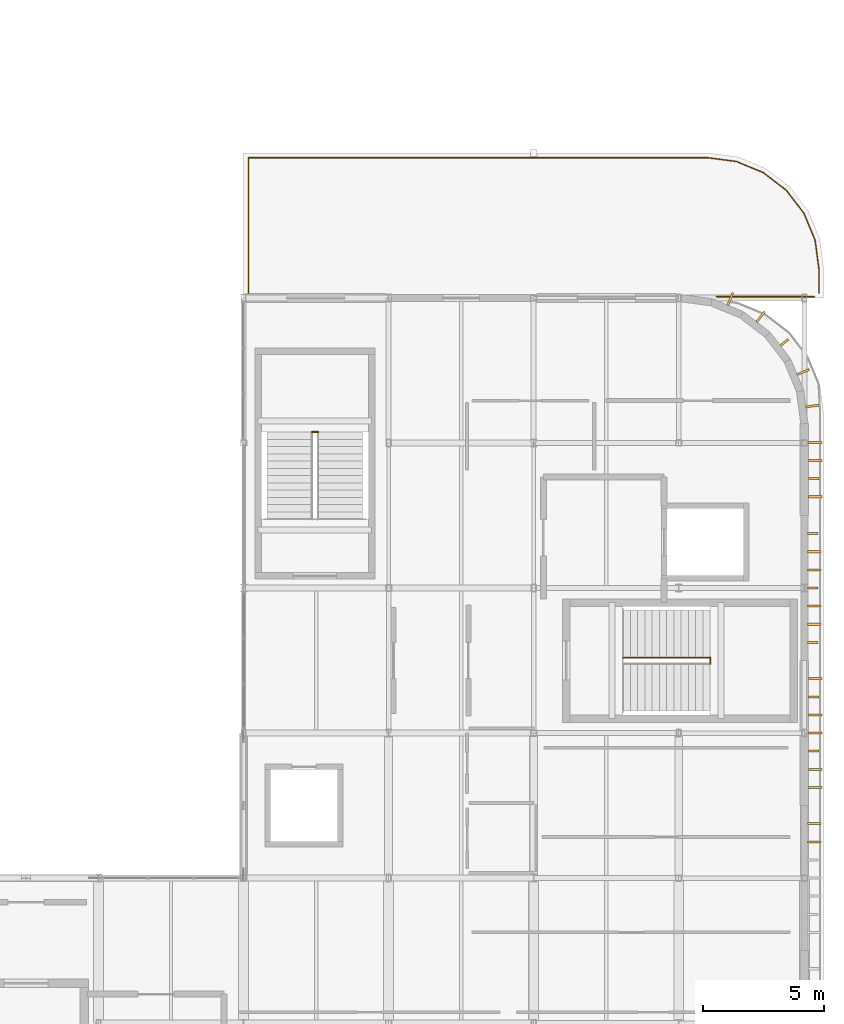
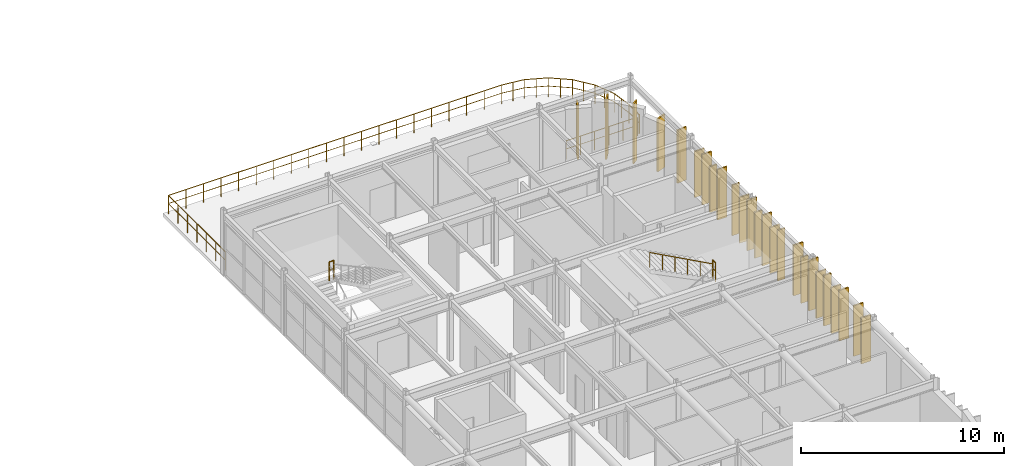
# One storey, part 27 of 27: 25 coverings, 13 railings.
"""IFC4 building model written with IfcOpenShell, lengths in metres."""

from ifc_helpers import new_model, si_unit, direction, frame, origin, origin_2d, place, context, subcontext, project, spatial, rectangle, circle, extrude, material, layer, layer_set, type_object, element, save


model = new_model("IFC4")

# Units and contexts
model_context = context("Model", 3, precision=1e-05, world=origin(), true_north=direction((0.0, 1.0)))
body_context = subcontext(model_context, "Body", "Model", "MODEL_VIEW")
ifc_project = project(units=[si_unit("LENGTHUNIT", "METRE"), si_unit("AREAUNIT", "SQUARE_METRE"), si_unit("VOLUMEUNIT", "CUBIC_METRE"), si_unit("PLANEANGLEUNIT", "RADIAN"), si_unit("MASSUNIT", "GRAM", prefix="KILO")], contexts=[model_context])

# Site, building, storey
site_placement = place(None, origin())
site = spatial("IfcSite", under=ifc_project, at=site_placement, CompositionType="ELEMENT")
building_placement = place(site_placement, origin())
building = spatial("IfcBuilding", under=site, at=building_placement, Name="Varnakota Square Police Headquarters", CompositionType="ELEMENT")
storey_placement = place(building_placement, frame((0.0, 0.0, 26.10009765625)))
storey = spatial("IfcBuildingStorey", under=building, at=storey_placement, Name="L06", CompositionType="ELEMENT", Elevation=26.10009765625)

# Coverings
ifc_material_1 = material(Name="White Anodised Aluminium Vertical Facade Blade 420", Category="aluminium")
ifc_layer_1 = layer(ifc_material_1, 0.0849609375, Name="White Anodised Aluminium Vertical Facade Blade 420")
ifc_layer_set_1 = layer_set([ifc_layer_1], Name="White Anodised Aluminium Vertical Facade Blade 420")
covering_type_1 = type_object("IfcCoveringType", Name="COV-FIN-420", PredefinedType="CLADDING", material=ifc_layer_set_1)
covering_1_placement = place(storey_placement, frame((161.5849609375, 20.25, 0.0400390625), z_axis=(0.0, 0.0, 1.0), x_axis=(0.0, 1.0, 0.0)))
element("IfcCovering", 1, at=covering_1_placement, inside=storey, type_object=covering_type_1, Name="Vertical aluminium facade fin FIN-0785", PredefinedType="CLADDING", context=body_context, shape_type="SweptSolid", body=[
    extrude(rectangle(XDim=0.0849609375, YDim=0.419921875, at=origin_2d()), origin(), (0.0, 0.0, 1.0), 3.050048828125),
])
covering_2_placement = place(storey_placement, frame((161.5849609375, 22.5, 0.039794921875), z_axis=(0.0, 0.0, 1.0), x_axis=(0.0, 1.0, 0.0)))
element("IfcCovering", 2, at=covering_2_placement, inside=storey, type_object=covering_type_1, Name="Vertical aluminium facade fin FIN-0788", PredefinedType="CLADDING", context=body_context, shape_type="SweptSolid", body=[
    extrude(rectangle(XDim=0.0849609375, YDim=0.419921875, at=origin_2d()), origin(), (0.0, 0.0, 1.0), 2.77001953125),
])
covering_3_placement = place(storey_placement, frame((161.544921875, 24.75, 0.0400390625), z_axis=(0.0, 0.0, 1.0), x_axis=(0.0, 1.0, 0.0)))
element("IfcCovering", 3, at=covering_3_placement, inside=storey, type_object=covering_type_1, Name="Vertical aluminium facade fin FIN-0790", PredefinedType="CLADDING", context=body_context, shape_type="SweptSolid", body=[
    extrude(rectangle(XDim=0.0849609375, YDim=0.419921875, at=origin_2d()), origin(), (0.0, 0.0, 1.0), 3.050048828125),
])
covering_4_placement = place(storey_placement, frame((161.544921875, 27.0, 0.039794921875), z_axis=(0.0, 0.0, 1.0), x_axis=(0.0, 1.0, 0.0)))
element("IfcCovering", 4, at=covering_4_placement, inside=storey, type_object=covering_type_1, Name="Vertical aluminium facade fin FIN-0793", PredefinedType="CLADDING", context=body_context, shape_type="SweptSolid", body=[
    extrude(rectangle(XDim=0.0849609375, YDim=0.419921875, at=origin_2d()), origin(), (0.0, 0.0, 1.0), 2.77001953125),
])
covering_5_placement = place(storey_placement, frame((161.544921875, 29.25, 0.0400390625), z_axis=(0.0, 0.0, 1.0), x_axis=(0.0, 1.0, 0.0)))
element("IfcCovering", 5, at=covering_5_placement, inside=storey, type_object=covering_type_1, Name="Vertical aluminium facade fin FIN-0796", PredefinedType="CLADDING", context=body_context, shape_type="SweptSolid", body=[
    extrude(rectangle(XDim=0.0849609375, YDim=0.419921875, at=origin_2d()), origin(), (0.0, 0.0, 1.0), 3.050048828125),
])
covering_6_placement = place(storey_placement, frame((161.5849609375, 31.52490234375, 0.039794921875), z_axis=(0.0, 0.0, 1.0), x_axis=(0.0, 1.0, 0.0)))
element("IfcCovering", 6, at=covering_6_placement, inside=storey, type_object=covering_type_1, Name="Vertical aluminium facade fin FIN-0798", PredefinedType="CLADDING", context=body_context, shape_type="SweptSolid", body=[
    extrude(rectangle(XDim=0.0849609375, YDim=0.419921875, at=origin_2d()), origin(), (0.0, 0.0, 1.0), 2.77001953125),
])
covering_7_placement = place(storey_placement, frame((160.371826171875, 37.154541015625, 0.039794921875), z_axis=(0.0, 0.0, 1.0), x_axis=(-0.608761429009, 0.793353340291, 0.0)))
element("IfcCovering", 7, at=covering_7_placement, inside=storey, type_object=covering_type_1, Name="Vertical aluminium facade fin FIN-0814", PredefinedType="CLADDING", context=body_context, shape_type="SweptSolid", body=[
    extrude(rectangle(XDim=0.0849609375, YDim=0.419921875, at=origin_2d()), origin(), (0.0, 0.0, 1.0), 3.60498046875),
])
ifc_material_2 = material(Name="White Anodised Aluminium Vertical Facade Blade 550", Category="aluminium")
ifc_layer_2 = layer(ifc_material_2, 0.0849609375, Name="White Anodised Aluminium Vertical Facade Blade 550")
ifc_layer_set_2 = layer_set([ifc_layer_2], Name="White Anodised Aluminium Vertical Facade Blade 550")
covering_type_2 = type_object("IfcCoveringType", Name="COV-FIN-550", PredefinedType="CLADDING", material=ifc_layer_set_2)
covering_8_placement = place(storey_placement, frame((161.610107421875, 16.5, 0.039794921875), z_axis=(0.0, 0.0, 1.0), x_axis=(0.0, 1.0, 0.0)))
element("IfcCovering", 8, at=covering_8_placement, inside=storey, type_object=covering_type_2, Name="Vertical aluminium facade fin FIN-0781", PredefinedType="CLADDING", context=body_context, shape_type="SweptSolid", body=[
    extrude(rectangle(XDim=0.0849609375, YDim=0.550048828125, at=origin_2d()), origin(), (0.0, 0.0, 1.0), 2.77001953125),
])
for number, where, z_axis, x_axis, name in (
    (9, (161.610107421875, 17.25, 0.0400390625), (0.0, 0.0, 1.0), (0.0, 1.0, 0.0), "Vertical aluminium facade fin FIN-0782"),
    (10, (161.64990234375, 18.75, 0.0400390625), (0.0, 0.0, 1.0), (0.0, 1.0, 0.0), "Vertical aluminium facade fin FIN-0783"),
):
    element("IfcCovering", number, at=place(storey_placement, frame(where, z_axis=z_axis, x_axis=x_axis)), inside=storey, type_object=covering_type_2, Name=name, PredefinedType="CLADDING", context=body_context, shape_type="SweptSolid", body=[
        extrude(rectangle(XDim=0.0849609375, YDim=0.550048828125, at=origin_2d()), origin(), (0.0, 0.0, 1.0), 3.050048828125),
    ])
for number, where, z_axis, x_axis, name in (
    (11, (161.64990234375, 19.5, 0.039794921875), (0.0, 0.0, 1.0), (0.0, 1.0, 0.0), "Vertical aluminium facade fin FIN-0784"),
    (12, (161.64990234375, 21.0, 0.039794921875), (0.0, 0.0, 1.0), (0.0, 1.0, 0.0), "Vertical aluminium facade fin FIN-0786"),
):
    element("IfcCovering", number, at=place(storey_placement, frame(where, z_axis=z_axis, x_axis=x_axis)), inside=storey, type_object=covering_type_2, Name=name, PredefinedType="CLADDING", context=body_context, shape_type="SweptSolid", body=[
        extrude(rectangle(XDim=0.0849609375, YDim=0.550048828125, at=origin_2d()), origin(), (0.0, 0.0, 1.0), 2.77001953125),
    ])
for number, where, z_axis, x_axis, name in (
    (13, (161.64990234375, 21.75, 0.0400390625), (0.0, 0.0, 1.0), (0.0, 1.0, 0.0), "Vertical aluminium facade fin FIN-0787"),
    (14, (161.64990234375, 23.25, 0.0400390625), (0.0, 0.0, 1.0), (0.0, 1.0, 0.0), "Vertical aluminium facade fin FIN-0789"),
):
    element("IfcCovering", number, at=place(storey_placement, frame(where, z_axis=z_axis, x_axis=x_axis)), inside=storey, type_object=covering_type_2, Name=name, PredefinedType="CLADDING", context=body_context, shape_type="SweptSolid", body=[
        extrude(rectangle(XDim=0.0849609375, YDim=0.550048828125, at=origin_2d()), origin(), (0.0, 0.0, 1.0), 3.050048828125),
    ])
covering_9_placement = place(storey_placement, frame((161.610107421875, 25.5, 0.039794921875), z_axis=(0.0, 0.0, 1.0), x_axis=(0.0, 1.0, 0.0)))
element("IfcCovering", 15, at=covering_9_placement, inside=storey, type_object=covering_type_2, Name="Vertical aluminium facade fin FIN-0791", PredefinedType="CLADDING", context=body_context, shape_type="SweptSolid", body=[
    extrude(rectangle(XDim=0.0849609375, YDim=0.550048828125, at=origin_2d()), origin(), (0.0, 0.0, 1.0), 2.77001953125),
])
for number, where, z_axis, x_axis, name in (
    (16, (161.610107421875, 26.25, 0.0400390625), (0.0, 0.0, 1.0), (0.0, 1.0, 0.0), "Vertical aluminium facade fin FIN-0792"),
    (17, (161.610107421875, 27.75, 0.0400390625), (0.0, 0.0, 1.0), (0.0, 1.0, 0.0), "Vertical aluminium facade fin FIN-0794"),
):
    element("IfcCovering", number, at=place(storey_placement, frame(where, z_axis=z_axis, x_axis=x_axis)), inside=storey, type_object=covering_type_2, Name=name, PredefinedType="CLADDING", context=body_context, shape_type="SweptSolid", body=[
        extrude(rectangle(XDim=0.0849609375, YDim=0.550048828125, at=origin_2d()), origin(), (0.0, 0.0, 1.0), 3.050048828125),
    ])
covering_10_placement = place(storey_placement, frame((161.610107421875, 28.5, 0.039794921875), z_axis=(0.0, 0.0, 1.0), x_axis=(0.0, 1.0, 0.0)))
element("IfcCovering", 18, at=covering_10_placement, inside=storey, type_object=covering_type_2, Name="Vertical aluminium facade fin FIN-0795", PredefinedType="CLADDING", context=body_context, shape_type="SweptSolid", body=[
    extrude(rectangle(XDim=0.0849609375, YDim=0.550048828125, at=origin_2d()), origin(), (0.0, 0.0, 1.0), 2.77001953125),
])
for number, where, z_axis, x_axis, name in (
    (19, (161.64990234375, 30.77490234375, 0.0400390625), (0.0, 0.0, 1.0), (0.0, 1.0, 0.0), "Vertical aluminium facade fin FIN-0797"),
    (20, (161.64990234375, 32.27490234375, 0.0400390625), (0.0, 0.0, 1.0), (0.0, 1.0, 0.0), "Vertical aluminium facade fin FIN-0799"),
):
    element("IfcCovering", number, at=place(storey_placement, frame(where, z_axis=z_axis, x_axis=x_axis)), inside=storey, type_object=covering_type_2, Name=name, PredefinedType="CLADDING", context=body_context, shape_type="SweptSolid", body=[
        extrude(rectangle(XDim=0.0849609375, YDim=0.550048828125, at=origin_2d()), origin(), (0.0, 0.0, 1.0), 3.050048828125),
    ])
covering_11_placement = place(storey_placement, frame((161.64990234375, 33.02490234375, 0.039794921875), z_axis=(0.0, 0.0, 1.0), x_axis=(0.0, 1.0, 0.0)))
element("IfcCovering", 21, at=covering_11_placement, inside=storey, type_object=covering_type_2, Name="Vertical aluminium facade fin FIN-0800", PredefinedType="CLADDING", context=body_context, shape_type="SweptSolid", body=[
    extrude(rectangle(XDim=0.0849609375, YDim=0.550048828125, at=origin_2d()), origin(), (0.0, 0.0, 1.0), 2.77001953125),
])
for number, where, z_axis, x_axis, name in (
    (22, (161.52783203125, 34.52783203125, 0.0400390625), (0.0, 0.0, 1.0), (-0.13052619222, 0.991444861374, 0.0), "Vertical aluminium facade fin FIN-0812"),
    (23, (161.151123046875, 35.93359375, 0.0400390625), (0.0, 0.0, 1.0), (-0.382683432365, 0.923879532511, 0.0), "Vertical aluminium facade fin FIN-0813"),
):
    element("IfcCovering", number, at=place(storey_placement, frame(where, z_axis=z_axis, x_axis=x_axis)), inside=storey, type_object=covering_type_2, Name=name, PredefinedType="CLADDING", context=body_context, shape_type="SweptSolid", body=[
        extrude(rectangle(XDim=0.0849609375, YDim=0.550048828125, at=origin_2d()), origin(), (0.0, 0.0, 1.0), 3.199951171875),
    ])
covering_12_placement = place(storey_placement, frame((159.394287109375, 38.223388671875, 0.039794921875), z_axis=(0.0, 0.0, 1.0), x_axis=(-0.793353340291, 0.608761429009, 0.0)))
element("IfcCovering", 24, at=covering_12_placement, inside=storey, type_object=covering_type_2, Name="Vertical aluminium facade fin FIN-0815", PredefinedType="CLADDING", context=body_context, shape_type="SweptSolid", body=[
    extrude(rectangle(XDim=0.0849609375, YDim=0.550048828125, at=origin_2d()), origin(), (0.0, 0.0, 1.0), 3.60498046875),
])
covering_13_placement = place(storey_placement, frame((158.1337890625, 38.951171875, 0.039794921875), z_axis=(0.0, 0.0, 1.0), x_axis=(-0.923879532511, 0.382683432365, 0.0)))
element("IfcCovering", 25, at=covering_13_placement, inside=storey, type_object=covering_type_2, Name="Vertical aluminium facade fin FIN-0816", PredefinedType="CLADDING", context=body_context, shape_type="SweptSolid", body=[
    extrude(rectangle(XDim=0.0849609375, YDim=0.550048828125, at=origin_2d()), origin(), (0.0, 0.0, 1.0), 3.25),
])

# Railings
ifc_material_3 = material(Name="Galvanised Powder-Coated Steel Guardrail", Category="steel")
railing_type_1 = type_object("IfcRailingType", Name="RL-BAL-1150", PredefinedType="BALUSTRADE", material=ifc_material_3)
railing_1_placement = place(storey_placement, frame((161.800048828125, 39.199951171875, 0.0)))
element("IfcRailing", 26, at=railing_1_placement, inside=storey, type_object=railing_type_1, Name="Refuge terrace balustrade GD-L06-005", PredefinedType="BALUSTRADE", context=body_context, shape_type="SweptSolid", body=[
    extrude(circle(Radius=0.02392578125, at=origin_2d()), frame((0.0, 0.0, 1.1259765625), z_axis=(0.0, 1.0, 0.0), x_axis=(-1.0, 0.0, 0.0)), (0.0, 0.0, 1.0), 1.0),
    extrude(circle(Radius=0.01806640625, at=origin_2d()), frame((0.0, 0.0, 0.63232421875), z_axis=(0.0, 1.0, 0.0), x_axis=(-1.0, 0.0, 0.0)), (0.0, 0.0, 1.0), 1.0),
    extrude(circle(Radius=0.02099609375, at=origin_2d()), origin(), (0.0, 0.0, 1.0), 1.101806640625),
    extrude(circle(Radius=0.02099609375, at=origin_2d()), frame((0.0, 1.0, 0.0)), (0.0, 0.0, 1.0), 1.101806640625),
])
railing_2_placement = place(storey_placement, frame((161.800048828125, 40.199951171875, 0.0)))
element("IfcRailing", 27, at=railing_2_placement, inside=storey, type_object=railing_type_1, Name="Refuge terrace balustrade GD-L06-006", PredefinedType="BALUSTRADE", context=body_context, shape_type="SweptSolid", body=[
    extrude(circle(Radius=0.02392578125, at=origin_2d()), frame((0.0, 0.0, 1.1259765625), z_axis=(-0.130512358051, 0.991446682579, 0.0), x_axis=(-0.991446682579, -0.130512358051, 0.0)), (0.0, 0.0, 1.0), 1.200927734375),
    extrude(circle(Radius=0.01806640625, at=origin_2d()), frame((0.0, 0.0, 0.63232421875), z_axis=(-0.130512358051, 0.991446682579, 0.0), x_axis=(-0.991446682579, -0.130512358051, 0.0)), (0.0, 0.0, 1.0), 1.200927734375),
    extrude(circle(Radius=0.02099609375, at=origin_2d()), origin(), (0.0, 0.0, 1.0), 1.101806640625),
    extrude(circle(Radius=0.02099609375, at=origin_2d()), frame((-0.078369140625, 0.59521484375, 0.0)), (0.0, 0.0, 1.0), 1.101806640625),
    extrude(circle(Radius=0.02099609375, at=origin_2d()), frame((-0.15673828125, 1.190673828125, 0.0)), (0.0, 0.0, 1.0), 1.101806640625),
])
railing_3_placement = place(storey_placement, frame((161.643310546875, 41.390625, 0.0)))
element("IfcRailing", 28, at=railing_3_placement, inside=storey, type_object=railing_type_1, Name="Refuge terrace balustrade GD-L06-007", PredefinedType="BALUSTRADE", context=body_context, shape_type="SweptSolid", body=[
    extrude(circle(Radius=0.02392578125, at=origin_2d()), frame((0.0, 0.0, 1.1259765625), z_axis=(-0.382824608984, 0.923821042603, 0.0), x_axis=(-0.923821042603, -0.382824608984, 0.0)), (0.0, 0.0, 1.0), 1.200927734375),
    extrude(circle(Radius=0.01806640625, at=origin_2d()), frame((0.0, 0.0, 0.63232421875), z_axis=(-0.382824608984, 0.923821042603, 0.0), x_axis=(-0.923821042603, -0.382824608984, 0.0)), (0.0, 0.0, 1.0), 1.200927734375),
    extrude(circle(Radius=0.02099609375, at=origin_2d()), origin(), (0.0, 0.0, 1.0), 1.101806640625),
    extrude(circle(Radius=0.02099609375, at=origin_2d()), frame((-0.22998046875, 0.5546875, 0.0)), (0.0, 0.0, 1.0), 1.101806640625),
    extrude(circle(Radius=0.02099609375, at=origin_2d()), frame((-0.459716796875, 1.109375, 0.0)), (0.0, 0.0, 1.0), 1.101806640625),
])
railing_4_placement = place(storey_placement, frame((161.18359375, 42.5, 0.0)))
element("IfcRailing", 29, at=railing_4_placement, inside=storey, type_object=railing_type_1, Name="Refuge terrace balustrade GD-L06-008", PredefinedType="BALUSTRADE", context=body_context, shape_type="SweptSolid", body=[
    extrude(circle(Radius=0.02392578125, at=origin_2d()), frame((0.0, 0.0, 1.1259765625), z_axis=(-0.608747363764, 0.793364132735, 0.0), x_axis=(-0.793364132735, -0.608747363764, 0.0)), (0.0, 0.0, 1.0), 1.20068359375),
    extrude(circle(Radius=0.01806640625, at=origin_2d()), frame((0.0, 0.0, 0.63232421875), z_axis=(-0.608747363764, 0.793364132735, 0.0), x_axis=(-0.793364132735, -0.608747363764, 0.0)), (0.0, 0.0, 1.0), 1.20068359375),
    extrude(circle(Radius=0.02099609375, at=origin_2d()), origin(), (0.0, 0.0, 1.0), 1.101806640625),
    extrude(circle(Radius=0.02099609375, at=origin_2d()), frame((-0.365478515625, 0.476318359375, 0.0)), (0.0, 0.0, 1.0), 1.101806640625),
    extrude(circle(Radius=0.02099609375, at=origin_2d()), frame((-0.73095703125, 0.95263671875, 0.0)), (0.0, 0.0, 1.0), 1.101806640625),
])
railing_5_placement = place(storey_placement, frame((160.45263671875, 43.45263671875, 0.0)))
element("IfcRailing", 30, at=railing_5_placement, inside=storey, type_object=railing_type_1, Name="Refuge terrace balustrade GD-L06-009", PredefinedType="BALUSTRADE", context=body_context, shape_type="SweptSolid", body=[
    extrude(circle(Radius=0.02392578125, at=origin_2d()), frame((0.0, 0.0, 1.1259765625), z_axis=(-0.793364132735, 0.608747363764, 0.0), x_axis=(-0.608747363764, -0.793364132735, 0.0)), (0.0, 0.0, 1.0), 1.20068359375),
    extrude(circle(Radius=0.01806640625, at=origin_2d()), frame((0.0, 0.0, 0.63232421875), z_axis=(-0.793364132735, 0.608747363764, 0.0), x_axis=(-0.608747363764, -0.793364132735, 0.0)), (0.0, 0.0, 1.0), 1.20068359375),
    extrude(circle(Radius=0.02099609375, at=origin_2d()), origin(), (0.0, 0.0, 1.0), 1.101806640625),
    extrude(circle(Radius=0.02099609375, at=origin_2d()), frame((-0.476318359375, 0.365478515625, 0.0)), (0.0, 0.0, 1.0), 1.101806640625),
    extrude(circle(Radius=0.02099609375, at=origin_2d()), frame((-0.95263671875, 0.73095703125, 0.0)), (0.0, 0.0, 1.0), 1.101806640625),
])
railing_6_placement = place(storey_placement, frame((159.5, 44.18359375, 0.0)))
element("IfcRailing", 31, at=railing_6_placement, inside=storey, type_object=railing_type_1, Name="Refuge terrace balustrade GD-L06-010", PredefinedType="BALUSTRADE", context=body_context, shape_type="SweptSolid", body=[
    extrude(circle(Radius=0.02392578125, at=origin_2d()), frame((0.0, 0.0, 1.1259765625), z_axis=(-0.923821042603, 0.382824608984, 0.0), x_axis=(-0.382824608984, -0.923821042603, 0.0)), (0.0, 0.0, 1.0), 1.200927734375),
    extrude(circle(Radius=0.01806640625, at=origin_2d()), frame((0.0, 0.0, 0.63232421875), z_axis=(-0.923821042603, 0.382824608984, 0.0), x_axis=(-0.382824608984, -0.923821042603, 0.0)), (0.0, 0.0, 1.0), 1.200927734375),
    extrude(circle(Radius=0.02099609375, at=origin_2d()), origin(), (0.0, 0.0, 1.0), 1.101806640625),
    extrude(circle(Radius=0.02099609375, at=origin_2d()), frame((-0.5546875, 0.22998046875, 0.0)), (0.0, 0.0, 1.0), 1.101806640625),
    extrude(circle(Radius=0.02099609375, at=origin_2d()), frame((-1.109375, 0.459716796875, 0.0)), (0.0, 0.0, 1.0), 1.101806640625),
])
railing_7_placement = place(storey_placement, frame((158.390625, 44.643310546875, 0.0)))
element("IfcRailing", 32, at=railing_7_placement, inside=storey, type_object=railing_type_1, Name="Refuge terrace balustrade GD-L06-011", PredefinedType="BALUSTRADE", context=body_context, shape_type="SweptSolid", body=[
    extrude(circle(Radius=0.02392578125, at=origin_2d()), frame((0.0, 0.0, 1.1259765625), z_axis=(-0.991446682579, 0.130512358051, 0.0), x_axis=(-0.130512358051, -0.991446682579, 0.0)), (0.0, 0.0, 1.0), 1.200927734375),
    extrude(circle(Radius=0.01806640625, at=origin_2d()), frame((0.0, 0.0, 0.63232421875), z_axis=(-0.991446682579, 0.130512358051, 0.0), x_axis=(-0.130512358051, -0.991446682579, 0.0)), (0.0, 0.0, 1.0), 1.200927734375),
    extrude(circle(Radius=0.02099609375, at=origin_2d()), origin(), (0.0, 0.0, 1.0), 1.101806640625),
    extrude(circle(Radius=0.02099609375, at=origin_2d()), frame((-0.59521484375, 0.078369140625, 0.0)), (0.0, 0.0, 1.0), 1.101806640625),
    extrude(circle(Radius=0.02099609375, at=origin_2d()), frame((-1.190673828125, 0.15673828125, 0.0)), (0.0, 0.0, 1.0), 1.101806640625),
])
railing_8_placement = place(storey_placement, frame((157.199951171875, 44.800048828125, 0.0)))
element("IfcRailing", 33, at=railing_8_placement, inside=storey, type_object=railing_type_1, Name="Refuge terrace balustrade GD-L06-012", PredefinedType="BALUSTRADE", context=body_context, shape_type="SweptSolid", body=[
    extrude(circle(Radius=0.02392578125, at=origin_2d()), frame((0.0, 0.0, 1.1259765625), z_axis=(-1.0, 0.0, 0.0), x_axis=(0.0, -1.0, 0.0)), (0.0, 0.0, 1.0), 19.0),
    extrude(circle(Radius=0.01806640625, at=origin_2d()), frame((0.0, 0.0, 0.63232421875), z_axis=(-1.0, 0.0, 0.0), x_axis=(0.0, -1.0, 0.0)), (0.0, 0.0, 1.0), 19.0),
    extrude(circle(Radius=0.02099609375, at=origin_2d()), origin(), (0.0, 0.0, 1.0), 1.101806640625),
    extrude(circle(Radius=0.02099609375, at=origin_2d()), frame((-1.0, 0.0, 0.0)), (0.0, 0.0, 1.0), 1.101806640625),
    extrude(circle(Radius=0.02099609375, at=origin_2d()), frame((-2.0, 0.0, 0.0)), (0.0, 0.0, 1.0), 1.101806640625),
    extrude(circle(Radius=0.02099609375, at=origin_2d()), frame((-3.0, 0.0, 0.0)), (0.0, 0.0, 1.0), 1.101806640625),
    extrude(circle(Radius=0.02099609375, at=origin_2d()), frame((-4.0, 0.0, 0.0)), (0.0, 0.0, 1.0), 1.101806640625),
    extrude(circle(Radius=0.02099609375, at=origin_2d()), frame((-5.0, 0.0, 0.0)), (0.0, 0.0, 1.0), 1.101806640625),
    extrude(circle(Radius=0.02099609375, at=origin_2d()), frame((-6.0, 0.0, 0.0)), (0.0, 0.0, 1.0), 1.101806640625),
    extrude(circle(Radius=0.02099609375, at=origin_2d()), frame((-7.0, 0.0, 0.0)), (0.0, 0.0, 1.0), 1.101806640625),
    extrude(circle(Radius=0.02099609375, at=origin_2d()), frame((-8.0, 0.0, 0.0)), (0.0, 0.0, 1.0), 1.101806640625),
    extrude(circle(Radius=0.02099609375, at=origin_2d()), frame((-9.0, 0.0, 0.0)), (0.0, 0.0, 1.0), 1.101806640625),
    extrude(circle(Radius=0.02099609375, at=origin_2d()), frame((-10.0, 0.0, 0.0)), (0.0, 0.0, 1.0), 1.101806640625),
    extrude(circle(Radius=0.02099609375, at=origin_2d()), frame((-11.0, 0.0, 0.0)), (0.0, 0.0, 1.0), 1.101806640625),
    extrude(circle(Radius=0.02099609375, at=origin_2d()), frame((-12.0, 0.0, 0.0)), (0.0, 0.0, 1.0), 1.101806640625),
    extrude(circle(Radius=0.02099609375, at=origin_2d()), frame((-13.0, 0.0, 0.0)), (0.0, 0.0, 1.0), 1.101806640625),
    extrude(circle(Radius=0.02099609375, at=origin_2d()), frame((-14.0, 0.0, 0.0)), (0.0, 0.0, 1.0), 1.101806640625),
    extrude(circle(Radius=0.02099609375, at=origin_2d()), frame((-15.0, 0.0, 0.0)), (0.0, 0.0, 1.0), 1.101806640625),
    extrude(circle(Radius=0.02099609375, at=origin_2d()), frame((-16.0, 0.0, 0.0)), (0.0, 0.0, 1.0), 1.101806640625),
    extrude(circle(Radius=0.02099609375, at=origin_2d()), frame((-17.0, 0.0, 0.0)), (0.0, 0.0, 1.0), 1.101806640625),
    extrude(circle(Radius=0.02099609375, at=origin_2d()), frame((-18.0, 0.0, 0.0)), (0.0, 0.0, 1.0), 1.101806640625),
    extrude(circle(Radius=0.02099609375, at=origin_2d()), frame((-19.0, 0.0, 0.0)), (0.0, 0.0, 1.0), 1.101806640625),
])
railing_9_placement = place(storey_placement, frame((138.199951171875, 44.800048828125, 0.0)))
element("IfcRailing", 34, at=railing_9_placement, inside=storey, type_object=railing_type_1, Name="Refuge terrace balustrade GD-L06-013", PredefinedType="BALUSTRADE", context=body_context, shape_type="SweptSolid", body=[
    extrude(circle(Radius=0.02392578125, at=origin_2d()), frame((0.0, 0.0, 1.1259765625), z_axis=(0.0, -1.0, 0.0), x_axis=(1.0, 0.0, 0.0)), (0.0, 0.0, 1.0), 5.60009765625),
    extrude(circle(Radius=0.01806640625, at=origin_2d()), frame((0.0, 0.0, 0.63232421875), z_axis=(0.0, -1.0, 0.0), x_axis=(1.0, 0.0, 0.0)), (0.0, 0.0, 1.0), 5.60009765625),
    extrude(circle(Radius=0.02099609375, at=origin_2d()), origin(), (0.0, 0.0, 1.0), 1.101806640625),
    extrude(circle(Radius=0.02099609375, at=origin_2d()), frame((0.0, -0.933349609375, 0.0)), (0.0, 0.0, 1.0), 1.101806640625),
    extrude(circle(Radius=0.02099609375, at=origin_2d()), frame((0.0, -1.86669921875, 0.0)), (0.0, 0.0, 1.0), 1.101806640625),
    extrude(circle(Radius=0.02099609375, at=origin_2d()), frame((0.0, -2.800048828125, 0.0)), (0.0, 0.0, 1.0), 1.101806640625),
    extrude(circle(Radius=0.02099609375, at=origin_2d()), frame((0.0, -3.7333984375, 0.0)), (0.0, 0.0, 1.0), 1.101806640625),
    extrude(circle(Radius=0.02099609375, at=origin_2d()), frame((0.0, -4.666748046875, 0.0)), (0.0, 0.0, 1.0), 1.101806640625),
    extrude(circle(Radius=0.02099609375, at=origin_2d()), frame((0.0, -5.60009765625, 0.0)), (0.0, 0.0, 1.0), 1.101806640625),
])
railing_10_placement = place(storey_placement, frame((161.61279296875, 39.050048828125, 0.0)))
element("IfcRailing", 35, at=railing_10_placement, inside=storey, type_object=railing_type_1, Name="Perimeter edge safety guard GD-AUTO-L06-092", PredefinedType="BALUSTRADE", context=body_context, shape_type="SweptSolid", body=[
    extrude(circle(Radius=0.02392578125, at=origin_2d()), frame((0.0, 0.0, 1.1259765625), z_axis=(-1.0, 0.0, 0.0), x_axis=(0.0, -1.0, 0.0)), (0.0, 0.0, 1.0), 4.0576171875),
    extrude(circle(Radius=0.01806640625, at=origin_2d()), frame((0.0, 0.0, 0.63232421875), z_axis=(-1.0, 0.0, 0.0), x_axis=(0.0, -1.0, 0.0)), (0.0, 0.0, 1.0), 4.0576171875),
    extrude(circle(Radius=0.02099609375, at=origin_2d()), origin(), (0.0, 0.0, 1.0), 1.101806640625),
    extrude(circle(Radius=0.02099609375, at=origin_2d()), frame((-0.8115234375, 0.0, 0.0)), (0.0, 0.0, 1.0), 1.101806640625),
    extrude(circle(Radius=0.02099609375, at=origin_2d()), frame((-1.623046875, 0.0, 0.0)), (0.0, 0.0, 1.0), 1.101806640625),
    extrude(circle(Radius=0.02099609375, at=origin_2d()), frame((-2.4345703125, 0.0, 0.0)), (0.0, 0.0, 1.0), 1.101806640625),
    extrude(circle(Radius=0.02099609375, at=origin_2d()), frame((-3.24609375, 0.0, 0.0)), (0.0, 0.0, 1.0), 1.101806640625),
    extrude(circle(Radius=0.02099609375, at=origin_2d()), frame((-4.0576171875, 0.0, 0.0)), (0.0, 0.0, 1.0), 1.101806640625),
])
ifc_material_4 = material(Name="Brushed Stainless Steel Tubular Handrail", Category="steel")
railing_type_2 = type_object("IfcRailingType", Name="RL-HND-920", PredefinedType="HANDRAIL", material=ifc_material_4)
railing_11_placement = place(storey_placement, frame((157.300537109375, 24.1201171875, 1.949951171875)))
element("IfcRailing", 36, at=railing_11_placement, inside=storey, type_object=railing_type_2, Name="Stair flight handrail HR-L06-028", PredefinedType="HANDRAIL", context=body_context, shape_type="SweptSolid", body=[
    extrude(circle(Radius=0.02392578125, at=origin_2d()), frame((0.0, 0.0, 0.89599609375), z_axis=(-0.879329418667, 0.0, 0.476213999654), x_axis=(0.0, -1.0, 0.0)), (0.0, 0.0, 1.0), 4.0947265625),
    extrude(circle(Radius=0.02099609375, at=origin_2d()), origin(), (0.0, 0.0, 1.0), 0.871826171875),
    extrude(circle(Radius=0.02099609375, at=origin_2d()), frame((-0.72021484375, 0.0, 0.389892578125)), (0.0, 0.0, 1.0), 0.871826171875),
    extrude(circle(Radius=0.02099609375, at=origin_2d()), frame((-1.440185546875, 0.0, 0.780029296875)), (0.0, 0.0, 1.0), 0.871826171875),
    extrude(circle(Radius=0.02099609375, at=origin_2d()), frame((-2.160400390625, 0.0, 1.169921875)), (0.0, 0.0, 1.0), 0.871826171875),
    extrude(circle(Radius=0.02099609375, at=origin_2d()), frame((-2.88037109375, 0.0, 1.56005859375)), (0.0, 0.0, 1.0), 0.871826171875),
    extrude(circle(Radius=0.02099609375, at=origin_2d()), frame((-3.6005859375, 0.0, 1.949951171875)), (0.0, 0.0, 1.0), 0.871826171875),
])
ifc_material_5 = material(Name="Laminated Glass and Stainless Steel Balustrade", Category="steel")
railing_type_3 = type_object("IfcRailingType", Name="RL-INT-1150", PredefinedType="BALUSTRADE", material=ifc_material_5)
railing_12_placement = place(storey_placement, frame((157.300537109375, 23.869873046875, 1.949951171875)))
element("IfcRailing", 37, at=railing_12_placement, inside=storey, type_object=railing_type_3, Name="Half-landing well guard C2 L06", PredefinedType="BALUSTRADE", context=body_context, shape_type="SweptSolid", body=[
    extrude(circle(Radius=0.02392578125, at=origin_2d()), frame((0.0, 0.0, 1.1259765625), z_axis=(0.0, 1.0, 0.0), x_axis=(-1.0, 0.0, 0.0)), (0.0, 0.0, 1.0), 0.26025390625),
    extrude(circle(Radius=0.01806640625, at=origin_2d()), frame((0.0, 0.0, 0.63232421875), z_axis=(0.0, 1.0, 0.0), x_axis=(-1.0, 0.0, 0.0)), (0.0, 0.0, 1.0), 0.26025390625),
    extrude(circle(Radius=0.02099609375, at=origin_2d()), origin(), (0.0, 0.0, 1.0), 1.101806640625),
    extrude(circle(Radius=0.02099609375, at=origin_2d()), frame((0.0, 0.26025390625, 0.0)), (0.0, 0.0, 1.0), 1.101806640625),
])
railing_13_placement = place(storey_placement, frame((140.81982421875, 33.45068359375, 1.949951171875)))
element("IfcRailing", 38, at=railing_13_placement, inside=storey, type_object=railing_type_3, Name="Half-landing well guard C3 L06", PredefinedType="BALUSTRADE", context=body_context, shape_type="SweptSolid", body=[
    extrude(circle(Radius=0.02392578125, at=origin_2d()), frame((0.0, 0.0, 1.1259765625), z_axis=(1.0, 0.0, 0.0), x_axis=(0.0, 1.0, 0.0)), (0.0, 0.0, 1.0), 0.26025390625),
    extrude(circle(Radius=0.01806640625, at=origin_2d()), frame((0.0, 0.0, 0.63232421875), z_axis=(1.0, 0.0, 0.0), x_axis=(0.0, 1.0, 0.0)), (0.0, 0.0, 1.0), 0.26025390625),
    extrude(circle(Radius=0.02099609375, at=origin_2d()), origin(), (0.0, 0.0, 1.0), 1.101806640625),
    extrude(circle(Radius=0.02099609375, at=origin_2d()), frame((0.26025390625, 0.0, 0.0)), (0.0, 0.0, 1.0), 1.101806640625),
])

save(model, "model.ifc")
